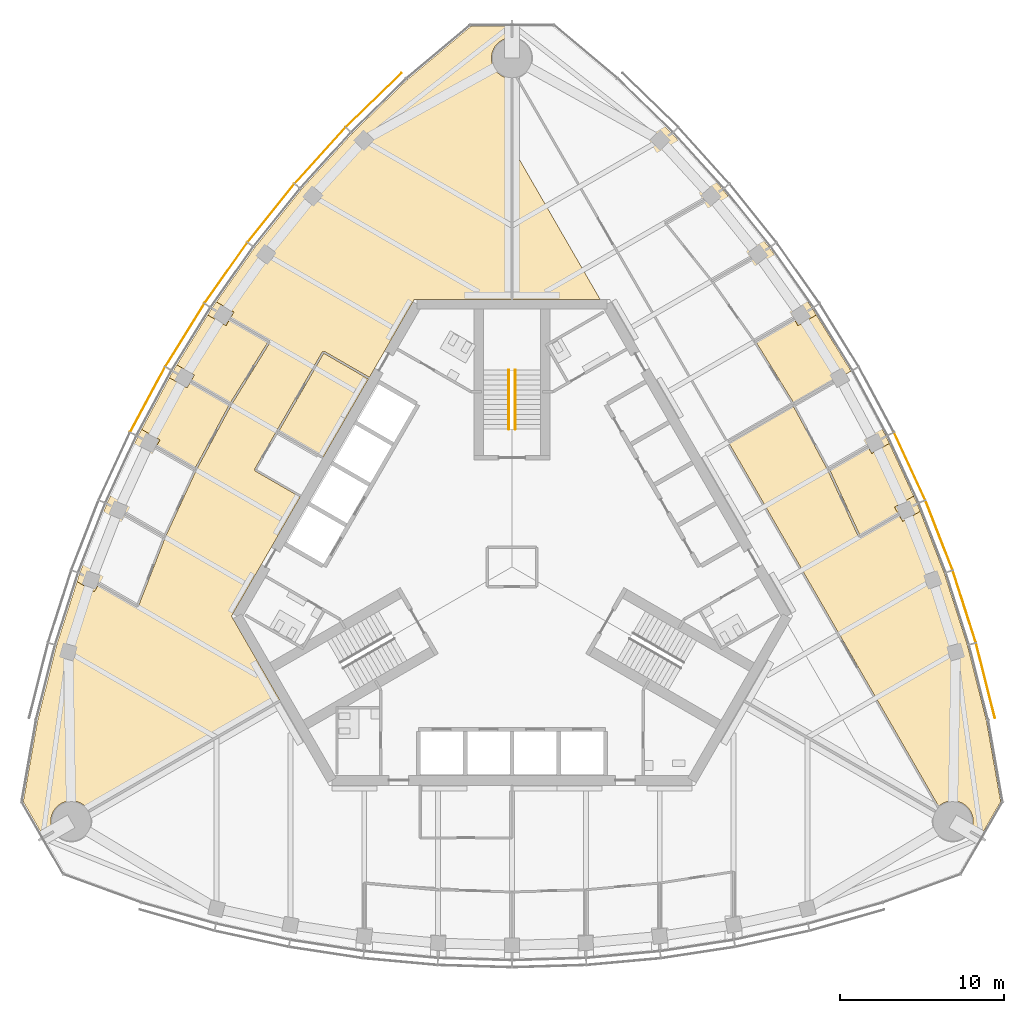
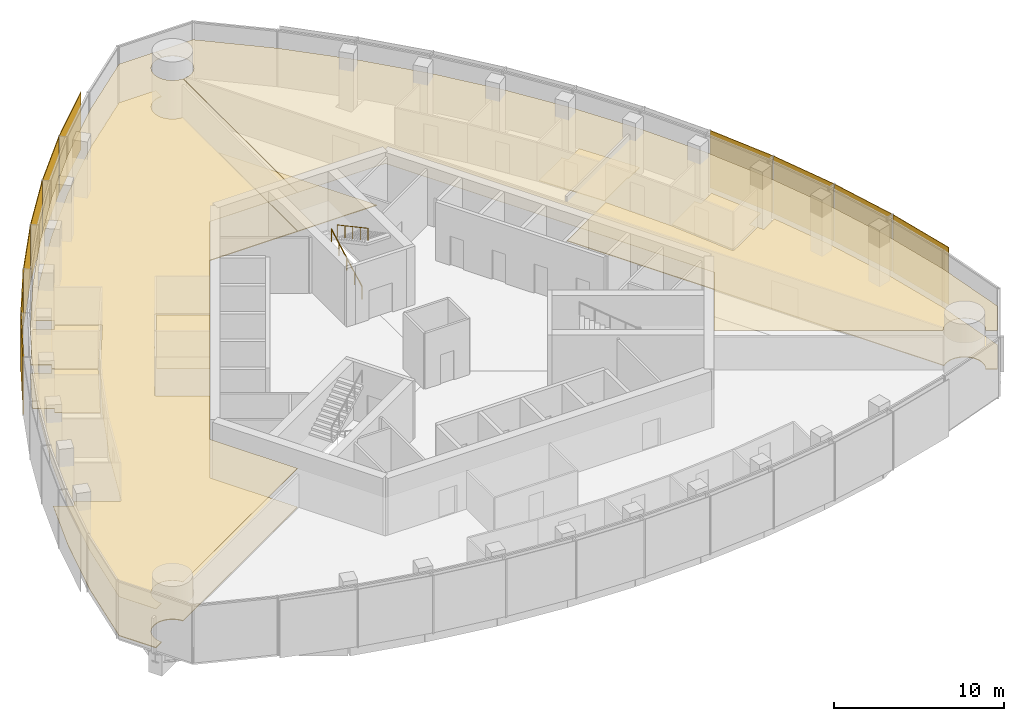
# One storey, part 13 of 16: 10 coverings, 10 shading devices, 2 railings.
"""IFC4 building model written with IfcOpenShell, lengths in metres."""

from ifc_helpers import new_model, si_unit, direction, frame, origin, origin_2d, place, context, subcontext, project, spatial, polyline, rectangle, circle, outline, extrude, material, layer, layer_set, type_object, element, save


model = new_model("IFC4")

# Units and contexts
model_context = context("Model", 3, precision=1e-05, world=origin(), true_north=direction((0.0, 1.0)))
body_context = subcontext(model_context, "Body", "Model", "MODEL_VIEW")
ifc_project = project(units=[si_unit("LENGTHUNIT", "METRE"), si_unit("AREAUNIT", "SQUARE_METRE"), si_unit("VOLUMEUNIT", "CUBIC_METRE"), si_unit("PLANEANGLEUNIT", "RADIAN"), si_unit("MASSUNIT", "GRAM", prefix="KILO")], contexts=[model_context])

# Site, building, storey
site_placement = place(None, origin())
site = spatial("IfcSite", under=ifc_project, at=site_placement, CompositionType="ELEMENT")
building_placement = place(site_placement, origin())
building = spatial("IfcBuilding", under=site, at=building_placement, Name="Trefoil Bronze Tower", CompositionType="ELEMENT")
storey_placement = place(building_placement, frame((0.0, 0.0, 301.5)))
storey = spatial("IfcBuildingStorey", under=building, at=storey_placement, Name="L69", CompositionType="ELEMENT", Elevation=301.5)

# Shading devices
ifc_material_1 = material(Name="Perforated bronze sheet", Category="bronze")
ifc_layer_1 = layer(ifc_material_1, 0.0400390625)
ifc_layer_set_1 = layer_set([ifc_layer_1], Name="Bronze solar screen panel")
shading_device_type = type_object("IfcShadingDeviceType", Name="Bronze solar screen panel", PredefinedType="SHUTTER", material=ifc_layer_set_1)
shading_device_1_placement = place(storey_placement, frame((28.843994140625, -6.927490234375, 0.050048828125), z_axis=(0.0, 0.0, 1.0), x_axis=(-0.244879561333, 0.969553505713, 0.0)))
element("IfcShadingDevice", 1, at=shading_device_1_placement, inside=storey, type_object=shading_device_type, Name="Solar screen CW-A L69 F2 bay 1", PredefinedType="SHUTTER", context=body_context, shape_type="SweptSolid", body=[
    extrude(rectangle(XDim=4.697509765625, YDim=0.0400390625, at=origin_2d()), origin(), (0.0, 0.0, 1.0), 4.10009765625),
])
shading_device_2_placement = place(storey_placement, frame((27.55322265625, -2.410888671875, 0.050048828125), z_axis=(0.0, 0.0, 1.0), x_axis=(-0.305187864214, 0.952292165009, 0.0)))
element("IfcShadingDevice", 2, at=shading_device_2_placement, inside=storey, type_object=shading_device_type, Name="Solar screen CW-A L69 F2 bay 2", PredefinedType="SHUTTER", context=body_context, shape_type="SweptSolid", body=[
    extrude(rectangle(XDim=4.574462890625, YDim=0.0400390625, at=origin_2d()), origin(), (0.0, 0.0, 1.0), 4.10009765625),
])
shading_device_3_placement = place(storey_placement, frame((26.0126953125, 1.93359375, 0.050048828125), z_axis=(0.0, 0.0, 1.0), x_axis=(-0.363198578387, 0.931711754062, 0.0)))
element("IfcShadingDevice", 3, at=shading_device_3_placement, inside=storey, type_object=shading_device_type, Name="Solar screen CW-A L69 F2 bay 3", PredefinedType="SHUTTER", context=body_context, shape_type="SweptSolid", body=[
    extrude(rectangle(XDim=4.5224609375, YDim=0.0400390625, at=origin_2d()), origin(), (0.0, 0.0, 1.0), 4.10009765625),
])
shading_device_4_placement = place(storey_placement, frame((24.2255859375, 6.135986328125, 0.050048828125), z_axis=(0.0, 0.0, 1.0), x_axis=(-0.419309148468, 0.907843509649, 0.0)))
element("IfcShadingDevice", 4, at=shading_device_4_placement, inside=storey, type_object=shading_device_type, Name="Solar screen CW-A L69 F2 bay 4", PredefinedType="SHUTTER", context=body_context, shape_type="SweptSolid", body=[
    extrude(rectangle(XDim=4.48876953125, YDim=0.0400390625, at=origin_2d()), origin(), (0.0, 0.0, 1.0), 4.10009765625),
])
shading_device_5_placement = place(storey_placement, frame((-8.42236328125, 28.443359375, 0.050048828125), z_axis=(0.0, 0.0, 1.0), x_axis=(-0.71721818561, -0.696848673839, 0.0)))
element("IfcShadingDevice", 5, at=shading_device_5_placement, inside=storey, type_object=shading_device_type, Name="Solar screen CW-A L69 F3 bay 1", PredefinedType="SHUTTER", context=body_context, shape_type="SweptSolid", body=[
    extrude(rectangle(XDim=4.697509765625, YDim=0.0400390625, at=origin_2d()), origin(), (0.0, 0.0, 1.0), 4.10009765625),
])
shading_device_6_placement = place(storey_placement, frame((-11.688720703125, 25.067138671875, 0.050048828125), z_axis=(0.0, 0.0, 1.0), x_axis=(-0.672115274615, -0.74044652584, 0.0)))
element("IfcShadingDevice", 6, at=shading_device_6_placement, inside=storey, type_object=shading_device_type, Name="Solar screen CW-A L69 F3 bay 2", PredefinedType="SHUTTER", context=body_context, shape_type="SweptSolid", body=[
    extrude(rectangle(XDim=4.574462890625, YDim=0.0400390625, at=origin_2d()), origin(), (0.0, 0.0, 1.0), 4.10009765625),
])
shading_device_7_placement = place(storey_placement, frame((-14.680908203125, 21.560791015625, 0.050048828125), z_axis=(0.0, 0.0, 1.0), x_axis=(-0.625286758829, -0.780395072533, 0.0)))
element("IfcShadingDevice", 7, at=shading_device_7_placement, inside=storey, type_object=shading_device_type, Name="Solar screen CW-A L69 F3 bay 3", PredefinedType="SHUTTER", context=body_context, shape_type="SweptSolid", body=[
    extrude(rectangle(XDim=4.5224609375, YDim=0.0400390625, at=origin_2d()), origin(), (0.0, 0.0, 1.0), 4.10009765625),
])
shading_device_8_placement = place(storey_placement, frame((-17.4267578125, 17.912109375, 0.050048828125), z_axis=(0.0, 0.0, 1.0), x_axis=(-0.576560967783, -0.817054129437, 0.0)))
element("IfcShadingDevice", 8, at=shading_device_8_placement, inside=storey, type_object=shading_device_type, Name="Solar screen CW-A L69 F3 bay 4", PredefinedType="SHUTTER", context=body_context, shape_type="SweptSolid", body=[
    extrude(rectangle(XDim=4.48876953125, YDim=0.0400390625, at=origin_2d()), origin(), (0.0, 0.0, 1.0), 4.10009765625),
])
for number, where, z_axis, x_axis, name in (
    (9, (-19.931396484375, 14.124267578125, 0.050048828125), (0.0, 0.0, 1.0), (-0.525979532701, -0.850497225851, 0.0), "Solar screen CW-A L69 F3 bay 5"),
    (10, (-22.19775390625, 10.198974609375, 0.050048828125), (0.0, 0.0, 1.0), (-0.473562437085, -0.880760250115, 0.0), "Solar screen CW-A L69 F3 bay 6"),
):
    element("IfcShadingDevice", number, at=place(storey_placement, frame(where, z_axis=z_axis, x_axis=x_axis)), inside=storey, type_object=shading_device_type, Name=name, PredefinedType="SHUTTER", context=body_context, shape_type="SweptSolid", body=[
        extrude(rectangle(XDim=4.47216796875, YDim=0.0400390625, at=origin_2d()), origin(), (0.0, 0.0, 1.0), 4.10009765625),
    ])

# Railings
ifc_material_2 = material(Name="Steel handrail", Category="steel")
railing_type = type_object("IfcRailingType", Name="Handrail 900", PredefinedType="HANDRAIL", material=ifc_material_2)
railing_1_placement = place(storey_placement, frame((-0.199951171875, 8.389892578125, 0.16162109375)))
element("IfcRailing", 11, at=railing_1_placement, inside=storey, type_object=railing_type, Name="Handrail ST2 flight 1 L69", PredefinedType="HANDRAIL", context=body_context, shape_type="SweptSolid", body=[
    extrude(circle(Radius=0.02392578125, at=origin_2d()), frame((0.0, 0.0, 0.8759765625), z_axis=(0.0, 0.880474934443, 0.474092701714), x_axis=(-1.0, 0.0, 0.0)), (0.0, 0.0, 1.0), 4.0888671875),
    extrude(circle(Radius=0.02099609375, at=origin_2d()), origin(), (0.0, 0.0, 1.0), 0.851806640625),
    extrude(circle(Radius=0.02099609375, at=origin_2d()), frame((0.0, 0.89990234375, 0.484619140625)), (0.0, 0.0, 1.0), 0.851806640625),
    extrude(circle(Radius=0.02099609375, at=origin_2d()), frame((0.0, 1.800048828125, 0.96923828125)), (0.0, 0.0, 1.0), 0.851806640625),
    extrude(circle(Radius=0.02099609375, at=origin_2d()), frame((0.0, 2.7001953125, 1.453857421875)), (0.0, 0.0, 1.0), 0.851806640625),
    extrude(circle(Radius=0.02099609375, at=origin_2d()), frame((0.0, 3.60009765625, 1.9384765625)), (0.0, 0.0, 1.0), 0.851806640625),
])
railing_2_placement = place(storey_placement, frame((0.199951171875, 11.989990234375, 2.261474609375)))
element("IfcRailing", 12, at=railing_2_placement, inside=storey, type_object=railing_type, Name="Handrail ST2 flight 2 L69", PredefinedType="HANDRAIL", context=body_context, shape_type="SweptSolid", body=[
    extrude(circle(Radius=0.02392578125, at=origin_2d()), frame((0.0, 0.0, 0.8759765625), z_axis=(0.0, -0.880474934443, 0.474092701714), x_axis=(1.0, 0.0, 0.0)), (0.0, 0.0, 1.0), 4.0888671875),
    extrude(circle(Radius=0.02099609375, at=origin_2d()), origin(), (0.0, 0.0, 1.0), 0.851806640625),
    extrude(circle(Radius=0.02099609375, at=origin_2d()), frame((0.0, -0.89990234375, 0.484619140625)), (0.0, 0.0, 1.0), 0.851806640625),
    extrude(circle(Radius=0.02099609375, at=origin_2d()), frame((0.0, -1.800048828125, 0.96923828125)), (0.0, 0.0, 1.0), 0.851806640625),
    extrude(circle(Radius=0.02099609375, at=origin_2d()), frame((0.0, -2.7001953125, 1.453857421875)), (0.0, 0.0, 1.0), 0.851806640625),
    extrude(circle(Radius=0.02099609375, at=origin_2d()), frame((0.0, -3.60009765625, 1.9384765625)), (0.0, 0.0, 1.0), 0.851806640625),
])

# Coverings
ifc_material_3 = material(Name="Acoustic ceiling panels", Category="mineral fibre")
ifc_layer_2 = layer(ifc_material_3, 0.02001953125)
ifc_layer_set_2 = layer_set([ifc_layer_2], Name="Office ceiling 20")
covering_type_1 = type_object("IfcCoveringType", Name="Office ceiling 20", PredefinedType="CEILING", material=ifc_layer_set_2)
covering_1_placement = place(storey_placement, frame((0.0, 0.0, 2.89990234375)))
element("IfcCovering", 13, at=covering_1_placement, inside=storey, type_object=covering_type_1, Name="Ceiling L69 Open-plan office F2", PredefinedType="CEILING", context=body_context, shape_type="SweptSolid", body=[
    extrude(outline(polyline([(9.741455078125, 26.408935546875), (12.836181640625, 22.99951171875), (15.682861328125, 19.44677734375), (18.2880859375, 15.7548828125), (20.656005859375, 11.92578125), (22.7880859375, 7.960693359375), (24.682861328125, 3.8583984375), (26.336181640625, -0.38330078125), (27.741455078125, -4.76806640625), (28.899169921875, -9.3515625), (29.770263671875, -14.291748046875), (28.522216796875, -16.453125), (27.93505859375, -16.1142578125), (27.976806640625, -16.034423828125), (28.001708984375, -15.978515625), (28.023681640625, -15.921142578125), (28.04296875, -15.86279296875), (28.059326171875, -15.8037109375), (28.07275390625, -15.743896484375), (28.083251953125, -15.683349609375), (28.0908203125, -15.62255859375), (28.09521484375, -15.561279296875), (28.0966796875, -15.5), (28.09521484375, -15.438720703125), (28.0908203125, -15.37744140625), (28.083251953125, -15.316650390625), (28.07275390625, -15.256103515625), (28.059326171875, -15.1962890625), (28.04296875, -15.13720703125), (28.023681640625, -15.078857421875), (28.001708984375, -15.021484375), (27.976806640625, -14.965576171875), (27.94921875, -14.910888671875), (27.9189453125, -14.857421875), (27.885986328125, -14.805419921875), (27.850830078125, -14.75537109375), (27.81298828125, -14.70703125), (27.77294921875, -14.66064453125), (27.730712890625, -14.6162109375), (27.686279296875, -14.57373046875), (27.639892578125, -14.53369140625), (27.59130859375, -14.49609375), (27.541259765625, -14.460693359375), (27.489501953125, -14.427734375), (27.43603515625, -14.397705078125), (27.381103515625, -14.3701171875), (27.3251953125, -14.34521484375), (27.267822265625, -14.322998046875), (27.209716796875, -14.3037109375), (27.150390625, -14.28759765625), (27.0908203125, -14.27392578125), (27.0302734375, -14.263427734375), (26.96923828125, -14.256103515625), (26.908203125, -14.25146484375), (26.8466796875, -14.25), (26.785400390625, -14.25146484375), (26.724365234375, -14.256103515625), (26.663330078125, -14.263427734375), (26.602783203125, -14.27392578125), (26.543212890625, -14.28759765625), (26.48388671875, -14.3037109375), (26.42578125, -14.322998046875), (26.368408203125, -14.34521484375), (26.312255859375, -14.3701171875), (26.257568359375, -14.397705078125), (26.2041015625, -14.427734375), (26.15234375, -14.460693359375), (26.102294921875, -14.49609375), (26.0537109375, -14.53369140625), (26.00732421875, -14.57373046875), (25.962890625, -14.6162109375), (25.920654296875, -14.66064453125), (25.880615234375, -14.70703125), (25.8427734375, -14.75537109375), (25.8076171875, -14.805419921875), (25.77001953125, -14.865478515625), (14.119384765625, -8.144775390625), (17.089599609375, -3.0), (5.94677734375, 16.300048828125), (0.006103515625, 16.300048828125), (0.01123046875, 29.750244140625), (0.061279296875, 29.75146484375), (0.12255859375, 29.756103515625), (0.183349609375, 29.763427734375), (0.243896484375, 29.77392578125), (0.3037109375, 29.78759765625), (0.36279296875, 29.8037109375), (0.421142578125, 29.822998046875), (0.478515625, 29.84521484375), (0.534423828125, 29.8701171875), (0.589111328125, 29.897705078125), (0.642578125, 29.927734375), (0.694580078125, 29.960693359375), (0.74462890625, 29.99609375), (0.79296875, 30.03369140625), (0.83935546875, 30.07373046875), (0.8837890625, 30.1162109375), (0.92626953125, 30.16064453125), (0.96630859375, 30.20703125), (1.00390625, 30.25537109375), (1.039306640625, 30.305419921875), (1.072265625, 30.357421875), (1.102294921875, 30.410888671875), (1.1298828125, 30.465576171875), (1.15478515625, 30.521484375), (1.177001953125, 30.578857421875), (1.1962890625, 30.63720703125), (1.21240234375, 30.6962890625), (1.22607421875, 30.756103515625), (1.236572265625, 30.816650390625), (1.243896484375, 30.87744140625), (1.24853515625, 30.938720703125), (1.25, 31.0), (1.24853515625, 31.061279296875), (1.243896484375, 31.12255859375), (1.236572265625, 31.183349609375), (1.22607421875, 31.243896484375), (1.21240234375, 31.3037109375), (1.1962890625, 31.36279296875), (1.177001953125, 31.421142578125), (1.15478515625, 31.478515625), (1.1298828125, 31.534423828125), (1.102294921875, 31.589111328125), (1.072265625, 31.642578125), (1.039306640625, 31.694580078125), (1.00390625, 31.74462890625), (0.96630859375, 31.79296875), (0.92626953125, 31.83935546875), (0.8837890625, 31.8837890625), (0.83935546875, 31.92626953125), (0.79296875, 31.96630859375), (0.74462890625, 32.00390625), (0.694580078125, 32.039306640625), (0.642578125, 32.072265625), (0.589111328125, 32.102294921875), (0.534423828125, 32.1298828125), (0.478515625, 32.15478515625), (0.421142578125, 32.177001953125), (0.36279296875, 32.1962890625), (0.3037109375, 32.21240234375), (0.243896484375, 32.22607421875), (0.183349609375, 32.236572265625), (0.12255859375, 32.243896484375), (0.061279296875, 32.24853515625), (0.01220703125, 32.249755859375), (0.01220703125, 32.927490234375), (2.508056640625, 32.927490234375), (6.350830078125, 29.703125), (9.741455078125, 26.408935546875)])), origin(), (0.0, 0.0, 1.0), 0.02001953125),
])
covering_2_placement = place(storey_placement, frame((0.0, 0.0, 2.89990234375)))
element("IfcCovering", 14, at=covering_2_placement, inside=storey, type_object=covering_type_1, Name="Ceiling L69 Open-plan office F3", PredefinedType="CEILING", context=body_context, shape_type="SweptSolid", body=[
    extrude(outline(polyline([(-27.741455078125, -4.76806640625), (-26.336181640625, -0.38330078125), (-24.682861328125, 3.8583984375), (-22.7880859375, 7.960693359375), (-20.656005859375, 11.92578125), (-18.2880859375, 15.7548828125), (-15.682861328125, 19.44677734375), (-12.836181640625, 22.99951171875), (-9.741455078125, 26.408935546875), (-6.350830078125, 29.703125), (-2.508056640625, 32.927490234375), (-0.01220703125, 32.927490234375), (-0.01220703125, 32.249755859375), (-0.061279296875, 32.24853515625), (-0.12255859375, 32.243896484375), (-0.183349609375, 32.236572265625), (-0.243896484375, 32.22607421875), (-0.3037109375, 32.21240234375), (-0.36279296875, 32.1962890625), (-0.421142578125, 32.177001953125), (-0.478515625, 32.15478515625), (-0.534423828125, 32.1298828125), (-0.589111328125, 32.102294921875), (-0.642578125, 32.072265625), (-0.694580078125, 32.039306640625), (-0.74462890625, 32.00390625), (-0.79296875, 31.96630859375), (-0.83935546875, 31.92626953125), (-0.8837890625, 31.8837890625), (-0.92626953125, 31.83935546875), (-0.96630859375, 31.79296875), (-1.00390625, 31.74462890625), (-1.039306640625, 31.694580078125), (-1.072265625, 31.642578125), (-1.102294921875, 31.589111328125), (-1.1298828125, 31.534423828125), (-1.15478515625, 31.478515625), (-1.177001953125, 31.421142578125), (-1.1962890625, 31.36279296875), (-1.21240234375, 31.3037109375), (-1.22607421875, 31.243896484375), (-1.236572265625, 31.183349609375), (-1.243896484375, 31.12255859375), (-1.24853515625, 31.061279296875), (-1.25, 31.0), (-1.24853515625, 30.938720703125), (-1.243896484375, 30.87744140625), (-1.236572265625, 30.816650390625), (-1.22607421875, 30.756103515625), (-1.21240234375, 30.6962890625), (-1.1962890625, 30.63720703125), (-1.177001953125, 30.578857421875), (-1.15478515625, 30.521484375), (-1.1298828125, 30.465576171875), (-1.102294921875, 30.410888671875), (-1.072265625, 30.357421875), (-1.039306640625, 30.305419921875), (-1.00390625, 30.25537109375), (-0.96630859375, 30.20703125), (-0.92626953125, 30.16064453125), (-0.8837890625, 30.1162109375), (-0.83935546875, 30.07373046875), (-0.79296875, 30.03369140625), (-0.74462890625, 29.99609375), (-0.694580078125, 29.960693359375), (-0.642578125, 29.927734375), (-0.589111328125, 29.897705078125), (-0.534423828125, 29.8701171875), (-0.478515625, 29.84521484375), (-0.421142578125, 29.822998046875), (-0.36279296875, 29.8037109375), (-0.3037109375, 29.78759765625), (-0.243896484375, 29.77392578125), (-0.183349609375, 29.763427734375), (-0.12255859375, 29.756103515625), (-0.061279296875, 29.75146484375), (-0.01123046875, 29.750244140625), (-0.006103515625, 16.300048828125), (-5.94677734375, 16.300048828125), (-17.089599609375, -3.0), (-14.119384765625, -8.144775390625), (-25.77001953125, -14.865478515625), (-25.8076171875, -14.805419921875), (-25.8427734375, -14.75537109375), (-25.880615234375, -14.70703125), (-25.920654296875, -14.66064453125), (-25.962890625, -14.6162109375), (-26.00732421875, -14.57373046875), (-26.0537109375, -14.53369140625), (-26.102294921875, -14.49609375), (-26.15234375, -14.460693359375), (-26.2041015625, -14.427734375), (-26.257568359375, -14.397705078125), (-26.312255859375, -14.3701171875), (-26.368408203125, -14.34521484375), (-26.42578125, -14.322998046875), (-26.48388671875, -14.3037109375), (-26.543212890625, -14.28759765625), (-26.602783203125, -14.27392578125), (-26.663330078125, -14.263427734375), (-26.724365234375, -14.256103515625), (-26.785400390625, -14.25146484375), (-26.8466796875, -14.25), (-26.908203125, -14.25146484375), (-26.96923828125, -14.256103515625), (-27.0302734375, -14.263427734375), (-27.0908203125, -14.27392578125), (-27.150390625, -14.28759765625), (-27.209716796875, -14.3037109375), (-27.267822265625, -14.322998046875), (-27.3251953125, -14.34521484375), (-27.381103515625, -14.3701171875), (-27.43603515625, -14.397705078125), (-27.489501953125, -14.427734375), (-27.541259765625, -14.460693359375), (-27.59130859375, -14.49609375), (-27.639892578125, -14.53369140625), (-27.686279296875, -14.57373046875), (-27.730712890625, -14.6162109375), (-27.77294921875, -14.66064453125), (-27.81298828125, -14.70703125), (-27.850830078125, -14.75537109375), (-27.885986328125, -14.805419921875), (-27.9189453125, -14.857421875), (-27.94921875, -14.910888671875), (-27.976806640625, -14.965576171875), (-28.001708984375, -15.021484375), (-28.023681640625, -15.078857421875), (-28.04296875, -15.13720703125), (-28.059326171875, -15.1962890625), (-28.07275390625, -15.256103515625), (-28.083251953125, -15.316650390625), (-28.0908203125, -15.37744140625), (-28.09521484375, -15.438720703125), (-28.0966796875, -15.5), (-28.09521484375, -15.561279296875), (-28.0908203125, -15.62255859375), (-28.083251953125, -15.683349609375), (-28.07275390625, -15.743896484375), (-28.059326171875, -15.8037109375), (-28.04296875, -15.86279296875), (-28.023681640625, -15.921142578125), (-28.001708984375, -15.978515625), (-27.976806640625, -16.034423828125), (-27.93505859375, -16.1142578125), (-28.522216796875, -16.453125), (-29.770263671875, -14.291748046875), (-28.899169921875, -9.3515625), (-27.741455078125, -4.76806640625)])), origin(), (0.0, 0.0, 1.0), 0.02001953125),
])
ifc_material_4 = material(Name="Raised access floor panels", Category="steel")
ifc_layer_3 = layer(ifc_material_4, 0.050048828125)
ifc_layer_set_3 = layer_set([ifc_layer_3], Name="Raised access floor 150")
covering_type_2 = type_object("IfcCoveringType", Name="Raised access floor 150", PredefinedType="FLOORING", material=ifc_layer_set_3)
covering_3_placement = place(storey_placement, frame((0.0, 0.0, 0.10009765625)))
element("IfcCovering", 15, at=covering_3_placement, inside=storey, type_object=covering_type_2, Name="Raised floor L69 Office F2", PredefinedType="FLOORING", context=body_context, shape_type="SweptSolid", body=[
    extrude(outline(polyline([(19.547607421875, 11.285888671875), (19.510009765625, 11.350830078125), (17.1611328125, 9.99462890625), (14.8642578125, 13.708740234375), (17.20751953125, 15.061767578125), (17.177490234375, 15.113525390625), (17.180419921875, 15.115234375), (17.419189453125, 14.701904296875), (18.539306640625, 15.348388671875), (20.656005859375, 11.92578125), (19.547607421875, 11.285888671875)])), origin(), (0.0, 0.0, 1.0), 0.0498046875),
])
covering_4_placement = place(storey_placement, frame((0.0, 0.0, 0.10009765625)))
element("IfcCovering", 16, at=covering_4_placement, inside=storey, type_object=covering_type_2, Name="Raised floor L69 Meeting room F2", PredefinedType="FLOORING", context=body_context, shape_type="SweptSolid", body=[
    extrude(outline(polyline([(23.519775390625, 3.256103515625), (21.202392578125, 1.918212890625), (19.358154296875, 5.910888671875), (21.70751953125, 7.267333984375), (21.677490234375, 7.3193359375), (21.680419921875, 7.321044921875), (21.919189453125, 6.90771484375), (22.989013671875, 7.525390625), (24.47119140625, 4.316162109375), (23.298583984375, 3.63916015625), (23.519775390625, 3.256103515625)])), origin(), (0.0, 0.0, 1.0), 0.0498046875),
])
covering_5_placement = place(storey_placement, frame((0.0, 0.0, 0.10009765625)))
element("IfcCovering", 17, at=covering_5_placement, inside=storey, type_object=covering_type_2, Name="Raised floor L69 Open-plan office F2", PredefinedType="FLOORING", context=body_context, shape_type="SweptSolid", body=[
    extrude(outline(polyline([(25.995361328125, -14.585205078125), (13.218505859375, 7.544921875), (17.132080078125, 9.8046875), (19.22705078125, 5.90869140625), (21.120849609375, 1.80810546875), (21.17529296875, 1.833251953125), (21.205322265625, 1.781494140625), (23.579833984375, 3.152099609375), (23.801025390625, 2.769287109375), (24.867431640625, 3.385009765625), (26.336181640625, -0.38330078125), (27.741455078125, -4.76806640625), (28.899169921875, -9.3515625), (29.770263671875, -14.291748046875), (28.522216796875, -16.453125), (27.93505859375, -16.1142578125), (27.976806640625, -16.034423828125), (28.001708984375, -15.978515625), (28.023681640625, -15.921142578125), (28.04296875, -15.86279296875), (28.059326171875, -15.8037109375), (28.07275390625, -15.743896484375), (28.083251953125, -15.683349609375), (28.0908203125, -15.62255859375), (28.09521484375, -15.561279296875), (28.0966796875, -15.5), (28.09521484375, -15.438720703125), (28.0908203125, -15.37744140625), (28.083251953125, -15.316650390625), (28.07275390625, -15.256103515625), (28.059326171875, -15.1962890625), (28.04296875, -15.13720703125), (28.023681640625, -15.078857421875), (28.001708984375, -15.021484375), (27.976806640625, -14.965576171875), (27.94921875, -14.910888671875), (27.9189453125, -14.857421875), (27.885986328125, -14.805419921875), (27.850830078125, -14.75537109375), (27.81298828125, -14.70703125), (27.77294921875, -14.66064453125), (27.730712890625, -14.6162109375), (27.686279296875, -14.57373046875), (27.639892578125, -14.53369140625), (27.59130859375, -14.49609375), (27.541259765625, -14.460693359375), (27.489501953125, -14.427734375), (27.43603515625, -14.397705078125), (27.381103515625, -14.3701171875), (27.3251953125, -14.34521484375), (27.267822265625, -14.322998046875), (27.209716796875, -14.3037109375), (27.150390625, -14.28759765625), (27.0908203125, -14.27392578125), (27.0302734375, -14.263427734375), (26.96923828125, -14.256103515625), (26.908203125, -14.25146484375), (26.8466796875, -14.25), (26.785400390625, -14.25146484375), (26.724365234375, -14.256103515625), (26.663330078125, -14.263427734375), (26.602783203125, -14.27392578125), (26.543212890625, -14.28759765625), (26.48388671875, -14.3037109375), (26.42578125, -14.322998046875), (26.368408203125, -14.34521484375), (26.312255859375, -14.3701171875), (26.257568359375, -14.397705078125), (26.2041015625, -14.427734375), (26.15234375, -14.460693359375), (26.102294921875, -14.49609375), (26.0537109375, -14.53369140625), (25.995361328125, -14.585205078125)])), origin(), (0.0, 0.0, 1.0), 0.0498046875),
])
covering_6_placement = place(storey_placement, frame((0.0, 0.0, 0.10009765625)))
element("IfcCovering", 18, at=covering_6_placement, inside=storey, type_object=covering_type_2, Name="Raised floor L69 Open-plan office F2", PredefinedType="FLOORING", context=body_context, shape_type="SweptSolid", body=[
    extrude(outline(polyline([(0.009521484375, 25.58349609375), (5.369384765625, 16.300048828125), (0.006103515625, 16.300048828125), (0.009521484375, 25.58349609375)])), origin(), (0.0, 0.0, 1.0), 0.0498046875),
])
covering_7_placement = place(storey_placement, frame((0.0, 0.0, 0.10009765625)))
element("IfcCovering", 19, at=covering_7_placement, inside=storey, type_object=covering_type_2, Name="Raised floor L69 Meeting room F3", PredefinedType="FLOORING", context=body_context, shape_type="SweptSolid", body=[
    extrude(outline(polyline([(-11.488037109375, 6.701904296875), (-14.20751953125, 8.27197265625), (-11.467529296875, 13.017822265625), (-8.748046875, 11.44775390625), (-11.488037109375, 6.701904296875)])), origin(), (0.0, 0.0, 1.0), 0.0498046875),
])
covering_8_placement = place(storey_placement, frame((0.0, 0.0, 0.10009765625)))
element("IfcCovering", 20, at=covering_8_placement, inside=storey, type_object=covering_type_2, Name="Raised floor L69 Office F3", PredefinedType="FLOORING", context=body_context, shape_type="SweptSolid", body=[
    extrude(outline(polyline([(-17.177490234375, 15.113525390625), (-17.20751953125, 15.061767578125), (-14.8642578125, 13.708740234375), (-17.169189453125, 9.98193359375), (-19.517578125, 11.337890625), (-19.547607421875, 11.285888671875), (-19.57275390625, 11.30029296875), (-19.34716796875, 11.69091796875), (-20.418701171875, 12.3095703125), (-18.539306640625, 15.348388671875), (-17.419189453125, 14.701904296875), (-17.180419921875, 15.115234375), (-17.177490234375, 15.113525390625)])), origin(), (0.0, 0.0, 1.0), 0.0498046875),
])
covering_9_placement = place(storey_placement, frame((0.0, 0.0, 0.10009765625)))
element("IfcCovering", 21, at=covering_9_placement, inside=storey, type_object=covering_type_2, Name="Raised floor L69 Office F3", PredefinedType="FLOORING", context=body_context, shape_type="SweptSolid", body=[
    extrude(outline(polyline([(-19.547607421875, 11.285888671875), (-19.57763671875, 11.23388671875), (-17.22900390625, 9.8779296875), (-19.30419921875, 6.018310546875), (-21.647705078125, 7.371337890625), (-21.677490234375, 7.3193359375), (-21.680419921875, 7.321044921875), (-21.441650390625, 7.734619140625), (-22.56201171875, 8.38134765625), (-20.869873046875, 11.5283203125), (-19.798095703125, 10.90966796875), (-19.57275390625, 11.30029296875), (-19.547607421875, 11.285888671875)])), origin(), (0.0, 0.0, 1.0), 0.0498046875),
])
covering_10_placement = place(storey_placement, frame((0.0, 0.0, 0.10009765625)))
element("IfcCovering", 22, at=covering_10_placement, inside=storey, type_object=covering_type_2, Name="Raised floor L69 Open-plan office F3", PredefinedType="FLOORING", context=body_context, shape_type="SweptSolid", body=[
    extrude(outline(polyline([(-27.741455078125, -4.76806640625), (-26.500244140625, -0.895263671875), (-25.439453125, -1.5078125), (-25.206787109375, -1.104736328125), (-22.85888671875, -2.460205078125), (-22.828857421875, -2.408203125), (-22.77294921875, -2.429931640625), (-21.1201171875, 1.809814453125), (-19.22705078125, 5.90869140625), (-17.0966796875, 9.870849609375), (-14.729736328125, 13.6982421875), (-14.78076171875, 13.729736328125), (-14.750732421875, 13.78173828125), (-17.147705078125, 15.16552734375), (-17.177490234375, 15.113525390625), (-17.180419921875, 15.115234375), (-16.941650390625, 15.52880859375), (-18.01171875, 16.146484375), (-15.682861328125, 19.44677734375), (-12.836181640625, 22.99951171875), (-9.741455078125, 26.408935546875), (-6.350830078125, 29.703125), (-2.508056640625, 32.927490234375), (-0.01220703125, 32.927490234375), (-0.01220703125, 32.249755859375), (-0.061279296875, 32.24853515625), (-0.12255859375, 32.243896484375), (-0.183349609375, 32.236572265625), (-0.243896484375, 32.22607421875), (-0.3037109375, 32.21240234375), (-0.36279296875, 32.1962890625), (-0.421142578125, 32.177001953125), (-0.478515625, 32.15478515625), (-0.534423828125, 32.1298828125), (-0.589111328125, 32.102294921875), (-0.642578125, 32.072265625), (-0.694580078125, 32.039306640625), (-0.74462890625, 32.00390625), (-0.79296875, 31.96630859375), (-0.83935546875, 31.92626953125), (-0.8837890625, 31.8837890625), (-0.92626953125, 31.83935546875), (-0.96630859375, 31.79296875), (-1.00390625, 31.74462890625), (-1.039306640625, 31.694580078125), (-1.072265625, 31.642578125), (-1.102294921875, 31.589111328125), (-1.1298828125, 31.534423828125), (-1.15478515625, 31.478515625), (-1.177001953125, 31.421142578125), (-1.1962890625, 31.36279296875), (-1.21240234375, 31.3037109375), (-1.22607421875, 31.243896484375), (-1.236572265625, 31.183349609375), (-1.243896484375, 31.12255859375), (-1.24853515625, 31.061279296875), (-1.25, 31.0), (-1.24853515625, 30.938720703125), (-1.243896484375, 30.87744140625), (-1.236572265625, 30.816650390625), (-1.22607421875, 30.756103515625), (-1.21240234375, 30.6962890625), (-1.1962890625, 30.63720703125), (-1.177001953125, 30.578857421875), (-1.15478515625, 30.521484375), (-1.1298828125, 30.465576171875), (-1.102294921875, 30.410888671875), (-1.072265625, 30.357421875), (-1.039306640625, 30.305419921875), (-1.00390625, 30.25537109375), (-0.96630859375, 30.20703125), (-0.92626953125, 30.16064453125), (-0.8837890625, 30.1162109375), (-0.83935546875, 30.07373046875), (-0.79296875, 30.03369140625), (-0.74462890625, 29.99609375), (-0.694580078125, 29.960693359375), (-0.642578125, 29.927734375), (-0.589111328125, 29.897705078125), (-0.534423828125, 29.8701171875), (-0.478515625, 29.84521484375), (-0.421142578125, 29.822998046875), (-0.36279296875, 29.8037109375), (-0.3037109375, 29.78759765625), (-0.243896484375, 29.77392578125), (-0.183349609375, 29.763427734375), (-0.12255859375, 29.756103515625), (-0.061279296875, 29.75146484375), (-0.01123046875, 29.750244140625), (-0.006103515625, 16.300048828125), (-5.94677734375, 16.300048828125), (-8.68798828125, 11.5517578125), (-11.45947265625, 13.151611328125), (-11.489501953125, 13.099609375), (-11.54150390625, 13.129638671875), (-15.69140625, 5.941650390625), (-15.639404296875, 5.91162109375), (-15.66943359375, 5.85986328125), (-12.898193359375, 4.259765625), (-17.089599609375, -3.0), (-14.119384765625, -8.144775390625), (-25.77001953125, -14.865478515625), (-25.8076171875, -14.805419921875), (-25.8427734375, -14.75537109375), (-25.880615234375, -14.70703125), (-25.920654296875, -14.66064453125), (-25.962890625, -14.6162109375), (-26.00732421875, -14.57373046875), (-26.0537109375, -14.53369140625), (-26.102294921875, -14.49609375), (-26.15234375, -14.460693359375), (-26.2041015625, -14.427734375), (-26.257568359375, -14.397705078125), (-26.312255859375, -14.3701171875), (-26.368408203125, -14.34521484375), (-26.42578125, -14.322998046875), (-26.48388671875, -14.3037109375), (-26.543212890625, -14.28759765625), (-26.602783203125, -14.27392578125), (-26.663330078125, -14.263427734375), (-26.724365234375, -14.256103515625), (-26.785400390625, -14.25146484375), (-26.8466796875, -14.25), (-26.908203125, -14.25146484375), (-26.96923828125, -14.256103515625), (-27.0302734375, -14.263427734375), (-27.0908203125, -14.27392578125), (-27.150390625, -14.28759765625), (-27.209716796875, -14.3037109375), (-27.267822265625, -14.322998046875), (-27.3251953125, -14.34521484375), (-27.381103515625, -14.3701171875), (-27.43603515625, -14.397705078125), (-27.489501953125, -14.427734375), (-27.541259765625, -14.460693359375), (-27.59130859375, -14.49609375), (-27.639892578125, -14.53369140625), (-27.686279296875, -14.57373046875), (-27.730712890625, -14.6162109375), (-27.77294921875, -14.66064453125), (-27.81298828125, -14.70703125), (-27.850830078125, -14.75537109375), (-27.885986328125, -14.805419921875), (-27.9189453125, -14.857421875), (-27.94921875, -14.910888671875), (-27.976806640625, -14.965576171875), (-28.001708984375, -15.021484375), (-28.023681640625, -15.078857421875), (-28.04296875, -15.13720703125), (-28.059326171875, -15.1962890625), (-28.07275390625, -15.256103515625), (-28.083251953125, -15.316650390625), (-28.0908203125, -15.37744140625), (-28.09521484375, -15.438720703125), (-28.0966796875, -15.5), (-28.09521484375, -15.561279296875), (-28.0908203125, -15.62255859375), (-28.083251953125, -15.683349609375), (-28.07275390625, -15.743896484375), (-28.059326171875, -15.8037109375), (-28.04296875, -15.86279296875), (-28.023681640625, -15.921142578125), (-28.001708984375, -15.978515625), (-27.976806640625, -16.034423828125), (-27.93505859375, -16.1142578125), (-28.522216796875, -16.453125), (-29.770263671875, -14.291748046875), (-28.899169921875, -9.3515625), (-27.741455078125, -4.76806640625)])), origin(), (0.0, 0.0, 1.0), 0.0498046875),
])

save(model, "model.ifc")
